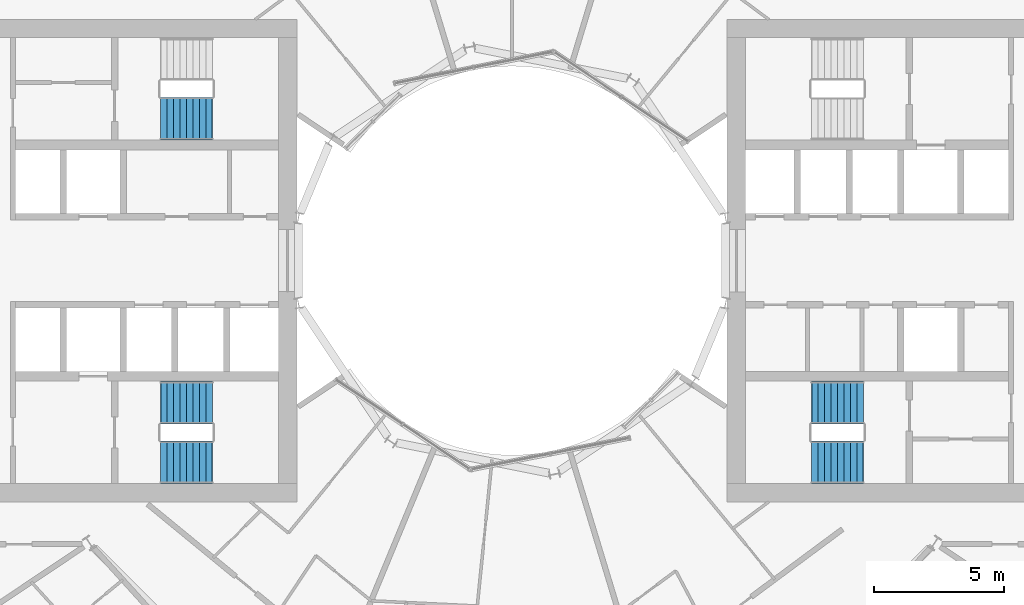
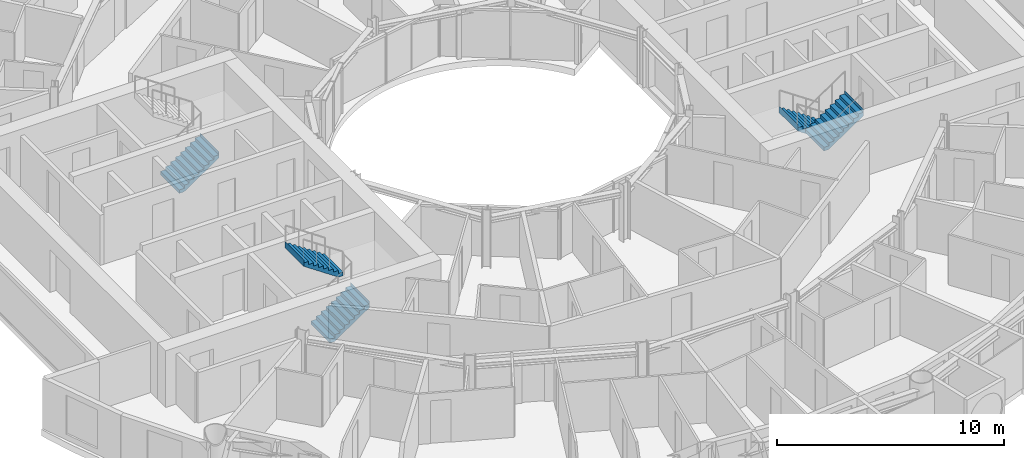
# One storey, part 23 of 26: 5 stair flights, 3 elements without a shape of their own.
"""IFC4 building model written with IfcOpenShell, lengths in metres."""

from ifc_helpers import new_model, si_unit, direction, frame, origin, place, context, subcontext, project, spatial, triangles, material, type_object, element, aggregate, save


model = new_model("IFC4")

# Units and contexts
model_context = context("Model", 3, precision=1e-05, world=origin(), true_north=direction((0.0, 1.0)))
body_context = subcontext(model_context, "Body", "Model", "MODEL_VIEW")
ifc_project = project(units=[si_unit("LENGTHUNIT", "METRE"), si_unit("AREAUNIT", "SQUARE_METRE"), si_unit("VOLUMEUNIT", "CUBIC_METRE"), si_unit("PLANEANGLEUNIT", "RADIAN"), si_unit("MASSUNIT", "GRAM", prefix="KILO")], contexts=[model_context])

# Site, building, storey
site_placement = place(None, origin())
site = spatial("IfcSite", under=ifc_project, at=site_placement, CompositionType="ELEMENT")
building_placement = place(site_placement, origin())
building = spatial("IfcBuilding", under=site, at=building_placement, Name="Maasbend Ring Residences", CompositionType="ELEMENT")
storey_placement = place(building_placement, frame((0.0, 0.0, 75.800048828125)))
storey = spatial("IfcBuildingStorey", under=building, at=storey_placement, Name="L21", CompositionType="ELEMENT", Elevation=75.800048828125)

# Stair, stair flights
ifc_material_1 = material(Name="Concrete C40/50", Category="concrete")
stair_type = type_object("IfcStairType", Name="CORE STAIR 18 RISERS", PredefinedType="HALF_TURN_STAIR", material=ifc_material_1)
stair_1_placement = place(storey_placement, origin())
stair_1 = element("IfcStair", 1, at=stair_1_placement, inside=storey, type_object=stair_type, Name="L21 Exit stair ST-E2", PredefinedType="HALF_TURN_STAIR")
ifc_material_2 = material(Name="Concrete C40/50", Category="concrete")
stair_flight_type = type_object("IfcStairFlightType", Name="CORE STAIR FLIGHT 1650", PredefinedType="STRAIGHT", material=ifc_material_2)
stair_flight_1_placement = place(storey_placement, frame((13.550048828125, -5.47509765625, 0.0), z_axis=(0.0, 0.0, 1.0), x_axis=(-1.0, 0.0, 0.0)))
stair_flight_1 = element("IfcStairFlight", 2, at=stair_flight_1_placement, type_object=stair_flight_type, Name="ST-E2 flight 1", NumberOfRisers=9, NumberOfTreads=8, PredefinedType="STRAIGHT", RiserHeight=0.169444444, TreadLength=0.25, context=body_context, shape_type="Tessellation", body=[
    triangles([(0.24072265625, 0.824951171875, -0.02001953125), (2.0029296875, 0.824951171875, 1.174560546875), (2.0029296875, 0.824951171875, 1.52490234375), (1.989990234375, 0.824951171875, 1.35546875), (1.75, 0.824951171875, 1.35546875), (1.75, 0.824951171875, 1.18603515625), (1.5, 0.824951171875, 1.18603515625), (1.5, 0.824951171875, 1.0166015625), (1.25, 0.824951171875, 1.0166015625), (1.25, 0.824951171875, 0.84716796875), (1.0, 0.824951171875, 0.84716796875), (1.0, 0.824951171875, 0.677734375), (0.75, 0.824951171875, 0.677734375), (0.75, 0.824951171875, 0.50830078125), (0.5, 0.824951171875, 0.50830078125), (0.5, 0.824951171875, 0.3388671875), (0.25, 0.824951171875, 0.3388671875), (0.25, 0.824951171875, 0.16943359375), (0.0, 0.824951171875, 0.16943359375), (0.0, 0.824951171875, 0.0), (-0.0029296875, 0.824951171875, 0.0), (-0.0029296875, 0.824951171875, -0.02001953125), (0.24072265625, 0.27490234375, -0.02001953125), (2.0029296875, 0.27490234375, 1.174560546875), (2.0029296875, 0.27490234375, 1.52490234375), (1.989990234375, 0.27490234375, 1.35546875), (1.75, 0.27490234375, 1.35546875), (1.75, 0.27490234375, 1.18603515625), (1.5, 0.27490234375, 1.18603515625), (1.5, 0.27490234375, 1.0166015625), (1.25, 0.27490234375, 1.0166015625), (1.25, 0.27490234375, 0.84716796875), (1.0, 0.27490234375, 0.84716796875), (1.0, 0.27490234375, 0.677734375), (0.75, 0.27490234375, 0.677734375), (0.75, 0.27490234375, 0.50830078125), (0.5, 0.27490234375, 0.50830078125), (0.5, 0.27490234375, 0.3388671875), (0.25, 0.27490234375, 0.3388671875), (0.25, 0.27490234375, 0.16943359375), (0.0, 0.27490234375, 0.16943359375), (0.0, 0.27490234375, 0.0), (-0.0029296875, 0.27490234375, 0.0), (-0.0029296875, 0.27490234375, -0.02001953125), (0.24072265625, -0.27490234375, -0.02001953125), (2.0029296875, -0.27490234375, 1.174560546875), (2.0029296875, -0.27490234375, 1.52490234375), (1.989990234375, -0.27490234375, 1.35546875), (1.75, -0.27490234375, 1.35546875), (1.75, -0.27490234375, 1.18603515625), (1.5, -0.27490234375, 1.18603515625), (1.5, -0.27490234375, 1.0166015625), (1.25, -0.27490234375, 1.0166015625), (1.25, -0.27490234375, 0.84716796875), (1.0, -0.27490234375, 0.84716796875), (1.0, -0.27490234375, 0.677734375), (0.75, -0.27490234375, 0.677734375), (0.75, -0.27490234375, 0.50830078125), (0.5, -0.27490234375, 0.50830078125), (0.5, -0.27490234375, 0.3388671875), (0.25, -0.27490234375, 0.3388671875), (0.25, -0.27490234375, 0.16943359375), (0.0, -0.27490234375, 0.16943359375), (0.0, -0.27490234375, 0.0), (-0.0029296875, -0.27490234375, 0.0), (-0.0029296875, -0.27490234375, -0.02001953125), (0.24072265625, -0.824951171875, -0.02001953125), (2.0029296875, -0.824951171875, 1.174560546875), (2.0029296875, -0.824951171875, 1.52490234375), (1.989990234375, -0.824951171875, 1.35546875), (1.75, -0.824951171875, 1.35546875), (1.75, -0.824951171875, 1.18603515625), (1.5, -0.824951171875, 1.18603515625), (1.5, -0.824951171875, 1.0166015625), (1.25, -0.824951171875, 1.0166015625), (1.25, -0.824951171875, 0.84716796875), (1.0, -0.824951171875, 0.84716796875), (1.0, -0.824951171875, 0.677734375), (0.75, -0.824951171875, 0.677734375), (0.75, -0.824951171875, 0.50830078125), (0.5, -0.824951171875, 0.50830078125), (0.5, -0.824951171875, 0.3388671875), (0.25, -0.824951171875, 0.3388671875), (0.25, -0.824951171875, 0.16943359375), (0.0, -0.824951171875, 0.16943359375), (0.0, -0.824951171875, 0.0), (-0.0029296875, -0.824951171875, 0.0), (-0.0029296875, -0.824951171875, -0.02001953125)], [[1, 2, 24], [1, 24, 23], [23, 24, 46], [23, 46, 45], [45, 46, 68], [45, 68, 67], [2, 3, 25], [2, 25, 24], [24, 25, 47], [24, 47, 46], [46, 47, 69], [46, 69, 68], [3, 4, 26], [3, 26, 25], [25, 26, 48], [25, 48, 47], [47, 48, 70], [47, 70, 69], [4, 5, 27], [4, 27, 26], [26, 27, 49], [26, 49, 48], [48, 49, 71], [48, 71, 70], [5, 6, 28], [5, 28, 27], [27, 28, 50], [27, 50, 49], [49, 50, 72], [49, 72, 71], [6, 7, 29], [6, 29, 28], [28, 29, 51], [28, 51, 50], [50, 51, 73], [50, 73, 72], [7, 8, 30], [7, 30, 29], [29, 30, 52], [29, 52, 51], [51, 52, 74], [51, 74, 73], [8, 9, 31], [8, 31, 30], [30, 31, 53], [30, 53, 52], [52, 53, 75], [52, 75, 74], [9, 10, 32], [9, 32, 31], [31, 32, 54], [31, 54, 53], [53, 54, 76], [53, 76, 75], [10, 11, 33], [10, 33, 32], [32, 33, 55], [32, 55, 54], [54, 55, 77], [54, 77, 76], [11, 12, 34], [11, 34, 33], [33, 34, 56], [33, 56, 55], [55, 56, 78], [55, 78, 77], [12, 13, 35], [12, 35, 34], [34, 35, 57], [34, 57, 56], [56, 57, 79], [56, 79, 78], [13, 14, 36], [13, 36, 35], [35, 36, 58], [35, 58, 57], [57, 58, 80], [57, 80, 79], [14, 15, 37], [14, 37, 36], [36, 37, 59], [36, 59, 58], [58, 59, 81], [58, 81, 80], [15, 16, 38], [15, 38, 37], [37, 38, 60], [37, 60, 59], [59, 60, 82], [59, 82, 81], [16, 17, 39], [16, 39, 38], [38, 39, 61], [38, 61, 60], [60, 61, 83], [60, 83, 82], [17, 18, 40], [17, 40, 39], [39, 40, 62], [39, 62, 61], [61, 62, 84], [61, 84, 83], [18, 19, 41], [18, 41, 40], [40, 41, 63], [40, 63, 62], [62, 63, 85], [62, 85, 84], [19, 20, 42], [19, 42, 41], [41, 42, 64], [41, 64, 63], [63, 64, 86], [63, 86, 85], [20, 21, 43], [20, 43, 42], [42, 43, 65], [42, 65, 64], [64, 65, 87], [64, 87, 86], [21, 22, 44], [21, 44, 43], [43, 44, 66], [43, 66, 65], [65, 66, 88], [65, 88, 87], [22, 1, 23], [22, 23, 44], [44, 23, 45], [44, 45, 66], [66, 45, 67], [66, 67, 88], [22, 2, 1], [2, 4, 3], [2, 5, 4], [2, 6, 5], [22, 6, 2], [6, 8, 7], [22, 8, 6], [8, 10, 9], [22, 10, 8], [10, 12, 11], [22, 12, 10], [12, 14, 13], [22, 14, 12], [14, 16, 15], [22, 16, 14], [16, 18, 17], [22, 18, 16], [18, 20, 19], [22, 20, 18], [20, 22, 21], [88, 67, 68], [68, 69, 70], [68, 70, 71], [68, 71, 72], [88, 68, 72], [72, 73, 74], [88, 72, 74], [74, 75, 76], [88, 74, 76], [76, 77, 78], [88, 76, 78], [78, 79, 80], [88, 78, 80], [80, 81, 82], [88, 80, 82], [82, 83, 84], [88, 82, 84], [84, 85, 86], [88, 84, 86], [86, 87, 88]], closed=True),
])
stair_flight_2_placement = place(storey_placement, frame((11.550048828125, -7.77490234375, 1.52490234375), z_axis=(0.0, 0.0, 1.0), x_axis=(1.0, 0.0, 0.0)))
stair_flight_2 = element("IfcStairFlight", 3, at=stair_flight_2_placement, type_object=stair_flight_type, Name="ST-E2 flight 2", NumberOfRisers=9, NumberOfTreads=8, PredefinedType="STRAIGHT", RiserHeight=0.169444444, TreadLength=0.25, context=body_context, shape_type="Tessellation", body=[
    triangles([(0.24072265625, 0.824951171875, -0.02001953125), (2.0029296875, 0.824951171875, 1.174560546875), (2.0029296875, 0.824951171875, 1.52490234375), (1.989990234375, 0.824951171875, 1.35546875), (1.75, 0.824951171875, 1.35546875), (1.75, 0.824951171875, 1.18603515625), (1.5, 0.824951171875, 1.18603515625), (1.5, 0.824951171875, 1.0166015625), (1.25, 0.824951171875, 1.0166015625), (1.25, 0.824951171875, 0.84716796875), (1.0, 0.824951171875, 0.84716796875), (1.0, 0.824951171875, 0.677734375), (0.75, 0.824951171875, 0.677734375), (0.75, 0.824951171875, 0.50830078125), (0.5, 0.824951171875, 0.50830078125), (0.5, 0.824951171875, 0.3388671875), (0.25, 0.824951171875, 0.3388671875), (0.25, 0.824951171875, 0.16943359375), (0.0, 0.824951171875, 0.16943359375), (0.0, 0.824951171875, 0.0), (-0.0029296875, 0.824951171875, 0.0), (-0.0029296875, 0.824951171875, -0.02001953125), (0.24072265625, 0.27490234375, -0.02001953125), (2.0029296875, 0.27490234375, 1.174560546875), (2.0029296875, 0.27490234375, 1.52490234375), (1.989990234375, 0.27490234375, 1.35546875), (1.75, 0.27490234375, 1.35546875), (1.75, 0.27490234375, 1.18603515625), (1.5, 0.27490234375, 1.18603515625), (1.5, 0.27490234375, 1.0166015625), (1.25, 0.27490234375, 1.0166015625), (1.25, 0.27490234375, 0.84716796875), (1.0, 0.27490234375, 0.84716796875), (1.0, 0.27490234375, 0.677734375), (0.75, 0.27490234375, 0.677734375), (0.75, 0.27490234375, 0.50830078125), (0.5, 0.27490234375, 0.50830078125), (0.5, 0.27490234375, 0.3388671875), (0.25, 0.27490234375, 0.3388671875), (0.25, 0.27490234375, 0.16943359375), (0.0, 0.27490234375, 0.16943359375), (0.0, 0.27490234375, 0.0), (-0.0029296875, 0.27490234375, 0.0), (-0.0029296875, 0.27490234375, -0.02001953125), (0.24072265625, -0.27490234375, -0.02001953125), (2.0029296875, -0.27490234375, 1.174560546875), (2.0029296875, -0.27490234375, 1.52490234375), (1.989990234375, -0.27490234375, 1.35546875), (1.75, -0.27490234375, 1.35546875), (1.75, -0.27490234375, 1.18603515625), (1.5, -0.27490234375, 1.18603515625), (1.5, -0.27490234375, 1.0166015625), (1.25, -0.27490234375, 1.0166015625), (1.25, -0.27490234375, 0.84716796875), (1.0, -0.27490234375, 0.84716796875), (1.0, -0.27490234375, 0.677734375), (0.75, -0.27490234375, 0.677734375), (0.75, -0.27490234375, 0.50830078125), (0.5, -0.27490234375, 0.50830078125), (0.5, -0.27490234375, 0.3388671875), (0.25, -0.27490234375, 0.3388671875), (0.25, -0.27490234375, 0.16943359375), (0.0, -0.27490234375, 0.16943359375), (0.0, -0.27490234375, 0.0), (-0.0029296875, -0.27490234375, 0.0), (-0.0029296875, -0.27490234375, -0.02001953125), (0.24072265625, -0.824951171875, -0.02001953125), (2.0029296875, -0.824951171875, 1.174560546875), (2.0029296875, -0.824951171875, 1.52490234375), (1.989990234375, -0.824951171875, 1.35546875), (1.75, -0.824951171875, 1.35546875), (1.75, -0.824951171875, 1.18603515625), (1.5, -0.824951171875, 1.18603515625), (1.5, -0.824951171875, 1.0166015625), (1.25, -0.824951171875, 1.0166015625), (1.25, -0.824951171875, 0.84716796875), (1.0, -0.824951171875, 0.84716796875), (1.0, -0.824951171875, 0.677734375), (0.75, -0.824951171875, 0.677734375), (0.75, -0.824951171875, 0.50830078125), (0.5, -0.824951171875, 0.50830078125), (0.5, -0.824951171875, 0.3388671875), (0.25, -0.824951171875, 0.3388671875), (0.25, -0.824951171875, 0.16943359375), (0.0, -0.824951171875, 0.16943359375), (0.0, -0.824951171875, 0.0), (-0.0029296875, -0.824951171875, 0.0), (-0.0029296875, -0.824951171875, -0.02001953125)], [[1, 2, 24], [1, 24, 23], [23, 24, 46], [23, 46, 45], [45, 46, 68], [45, 68, 67], [2, 3, 25], [2, 25, 24], [24, 25, 47], [24, 47, 46], [46, 47, 69], [46, 69, 68], [3, 4, 26], [3, 26, 25], [25, 26, 48], [25, 48, 47], [47, 48, 70], [47, 70, 69], [4, 5, 27], [4, 27, 26], [26, 27, 49], [26, 49, 48], [48, 49, 71], [48, 71, 70], [5, 6, 28], [5, 28, 27], [27, 28, 50], [27, 50, 49], [49, 50, 72], [49, 72, 71], [6, 7, 29], [6, 29, 28], [28, 29, 51], [28, 51, 50], [50, 51, 73], [50, 73, 72], [7, 8, 30], [7, 30, 29], [29, 30, 52], [29, 52, 51], [51, 52, 74], [51, 74, 73], [8, 9, 31], [8, 31, 30], [30, 31, 53], [30, 53, 52], [52, 53, 75], [52, 75, 74], [9, 10, 32], [9, 32, 31], [31, 32, 54], [31, 54, 53], [53, 54, 76], [53, 76, 75], [10, 11, 33], [10, 33, 32], [32, 33, 55], [32, 55, 54], [54, 55, 77], [54, 77, 76], [11, 12, 34], [11, 34, 33], [33, 34, 56], [33, 56, 55], [55, 56, 78], [55, 78, 77], [12, 13, 35], [12, 35, 34], [34, 35, 57], [34, 57, 56], [56, 57, 79], [56, 79, 78], [13, 14, 36], [13, 36, 35], [35, 36, 58], [35, 58, 57], [57, 58, 80], [57, 80, 79], [14, 15, 37], [14, 37, 36], [36, 37, 59], [36, 59, 58], [58, 59, 81], [58, 81, 80], [15, 16, 38], [15, 38, 37], [37, 38, 60], [37, 60, 59], [59, 60, 82], [59, 82, 81], [16, 17, 39], [16, 39, 38], [38, 39, 61], [38, 61, 60], [60, 61, 83], [60, 83, 82], [17, 18, 40], [17, 40, 39], [39, 40, 62], [39, 62, 61], [61, 62, 84], [61, 84, 83], [18, 19, 41], [18, 41, 40], [40, 41, 63], [40, 63, 62], [62, 63, 85], [62, 85, 84], [19, 20, 42], [19, 42, 41], [41, 42, 64], [41, 64, 63], [63, 64, 86], [63, 86, 85], [20, 21, 43], [20, 43, 42], [42, 43, 65], [42, 65, 64], [64, 65, 87], [64, 87, 86], [21, 22, 44], [21, 44, 43], [43, 44, 66], [43, 66, 65], [65, 66, 88], [65, 88, 87], [22, 1, 23], [22, 23, 44], [44, 23, 45], [44, 45, 66], [66, 45, 67], [66, 67, 88], [22, 2, 1], [2, 4, 3], [2, 5, 4], [2, 6, 5], [22, 6, 2], [6, 8, 7], [22, 8, 6], [8, 10, 9], [22, 10, 8], [10, 12, 11], [22, 12, 10], [12, 14, 13], [22, 14, 12], [14, 16, 15], [22, 16, 14], [16, 18, 17], [22, 18, 16], [18, 20, 19], [22, 20, 18], [20, 22, 21], [88, 67, 68], [68, 69, 70], [68, 70, 71], [68, 71, 72], [88, 68, 72], [72, 73, 74], [88, 72, 74], [74, 75, 76], [88, 74, 76], [76, 77, 78], [88, 76, 78], [78, 79, 80], [88, 78, 80], [80, 81, 82], [88, 80, 82], [82, 83, 84], [88, 82, 84], [84, 85, 86], [88, 84, 86], [86, 87, 88]], closed=True),
])
aggregate(stair_1, [stair_flight_1, stair_flight_2])

stair_2_placement = place(storey_placement, origin())
stair_2 = element("IfcStair", 4, at=stair_2_placement, inside=storey, type_object=stair_type, Name="L21 Exit stair ST-W1", PredefinedType="HALF_TURN_STAIR")
stair_flight_3_placement = place(storey_placement, frame((-13.550048828125, -7.77490234375, 0.0), z_axis=(0.0, 0.0, 1.0), x_axis=(1.0, 0.0, 0.0)))
stair_flight_3 = element("IfcStairFlight", 5, at=stair_flight_3_placement, type_object=stair_flight_type, Name="ST-W1 flight 1", NumberOfRisers=9, NumberOfTreads=8, PredefinedType="STRAIGHT", RiserHeight=0.169444444, TreadLength=0.25, context=body_context, shape_type="Tessellation", body=[
    triangles([(0.24072265625, 0.824951171875, -0.02001953125), (2.0029296875, 0.824951171875, 1.174560546875), (2.0029296875, 0.824951171875, 1.52490234375), (1.989990234375, 0.824951171875, 1.35546875), (1.75, 0.824951171875, 1.35546875), (1.75, 0.824951171875, 1.18603515625), (1.5, 0.824951171875, 1.18603515625), (1.5, 0.824951171875, 1.0166015625), (1.25, 0.824951171875, 1.0166015625), (1.25, 0.824951171875, 0.84716796875), (1.0, 0.824951171875, 0.84716796875), (1.0, 0.824951171875, 0.677734375), (0.75, 0.824951171875, 0.677734375), (0.75, 0.824951171875, 0.50830078125), (0.5, 0.824951171875, 0.50830078125), (0.5, 0.824951171875, 0.3388671875), (0.25, 0.824951171875, 0.3388671875), (0.25, 0.824951171875, 0.16943359375), (0.0, 0.824951171875, 0.16943359375), (0.0, 0.824951171875, 0.0), (-0.0029296875, 0.824951171875, 0.0), (-0.0029296875, 0.824951171875, -0.02001953125), (0.24072265625, 0.27490234375, -0.02001953125), (2.0029296875, 0.27490234375, 1.174560546875), (2.0029296875, 0.27490234375, 1.52490234375), (1.989990234375, 0.27490234375, 1.35546875), (1.75, 0.27490234375, 1.35546875), (1.75, 0.27490234375, 1.18603515625), (1.5, 0.27490234375, 1.18603515625), (1.5, 0.27490234375, 1.0166015625), (1.25, 0.27490234375, 1.0166015625), (1.25, 0.27490234375, 0.84716796875), (1.0, 0.27490234375, 0.84716796875), (1.0, 0.27490234375, 0.677734375), (0.75, 0.27490234375, 0.677734375), (0.75, 0.27490234375, 0.50830078125), (0.5, 0.27490234375, 0.50830078125), (0.5, 0.27490234375, 0.3388671875), (0.25, 0.27490234375, 0.3388671875), (0.25, 0.27490234375, 0.16943359375), (0.0, 0.27490234375, 0.16943359375), (0.0, 0.27490234375, 0.0), (-0.0029296875, 0.27490234375, 0.0), (-0.0029296875, 0.27490234375, -0.02001953125), (0.24072265625, -0.27490234375, -0.02001953125), (2.0029296875, -0.27490234375, 1.174560546875), (2.0029296875, -0.27490234375, 1.52490234375), (1.989990234375, -0.27490234375, 1.35546875), (1.75, -0.27490234375, 1.35546875), (1.75, -0.27490234375, 1.18603515625), (1.5, -0.27490234375, 1.18603515625), (1.5, -0.27490234375, 1.0166015625), (1.25, -0.27490234375, 1.0166015625), (1.25, -0.27490234375, 0.84716796875), (1.0, -0.27490234375, 0.84716796875), (1.0, -0.27490234375, 0.677734375), (0.75, -0.27490234375, 0.677734375), (0.75, -0.27490234375, 0.50830078125), (0.5, -0.27490234375, 0.50830078125), (0.5, -0.27490234375, 0.3388671875), (0.25, -0.27490234375, 0.3388671875), (0.25, -0.27490234375, 0.16943359375), (0.0, -0.27490234375, 0.16943359375), (0.0, -0.27490234375, 0.0), (-0.0029296875, -0.27490234375, 0.0), (-0.0029296875, -0.27490234375, -0.02001953125), (0.24072265625, -0.824951171875, -0.02001953125), (2.0029296875, -0.824951171875, 1.174560546875), (2.0029296875, -0.824951171875, 1.52490234375), (1.989990234375, -0.824951171875, 1.35546875), (1.75, -0.824951171875, 1.35546875), (1.75, -0.824951171875, 1.18603515625), (1.5, -0.824951171875, 1.18603515625), (1.5, -0.824951171875, 1.0166015625), (1.25, -0.824951171875, 1.0166015625), (1.25, -0.824951171875, 0.84716796875), (1.0, -0.824951171875, 0.84716796875), (1.0, -0.824951171875, 0.677734375), (0.75, -0.824951171875, 0.677734375), (0.75, -0.824951171875, 0.50830078125), (0.5, -0.824951171875, 0.50830078125), (0.5, -0.824951171875, 0.3388671875), (0.25, -0.824951171875, 0.3388671875), (0.25, -0.824951171875, 0.16943359375), (0.0, -0.824951171875, 0.16943359375), (0.0, -0.824951171875, 0.0), (-0.0029296875, -0.824951171875, 0.0), (-0.0029296875, -0.824951171875, -0.02001953125)], [[1, 2, 24], [1, 24, 23], [23, 24, 46], [23, 46, 45], [45, 46, 68], [45, 68, 67], [2, 3, 25], [2, 25, 24], [24, 25, 47], [24, 47, 46], [46, 47, 69], [46, 69, 68], [3, 4, 26], [3, 26, 25], [25, 26, 48], [25, 48, 47], [47, 48, 70], [47, 70, 69], [4, 5, 27], [4, 27, 26], [26, 27, 49], [26, 49, 48], [48, 49, 71], [48, 71, 70], [5, 6, 28], [5, 28, 27], [27, 28, 50], [27, 50, 49], [49, 50, 72], [49, 72, 71], [6, 7, 29], [6, 29, 28], [28, 29, 51], [28, 51, 50], [50, 51, 73], [50, 73, 72], [7, 8, 30], [7, 30, 29], [29, 30, 52], [29, 52, 51], [51, 52, 74], [51, 74, 73], [8, 9, 31], [8, 31, 30], [30, 31, 53], [30, 53, 52], [52, 53, 75], [52, 75, 74], [9, 10, 32], [9, 32, 31], [31, 32, 54], [31, 54, 53], [53, 54, 76], [53, 76, 75], [10, 11, 33], [10, 33, 32], [32, 33, 55], [32, 55, 54], [54, 55, 77], [54, 77, 76], [11, 12, 34], [11, 34, 33], [33, 34, 56], [33, 56, 55], [55, 56, 78], [55, 78, 77], [12, 13, 35], [12, 35, 34], [34, 35, 57], [34, 57, 56], [56, 57, 79], [56, 79, 78], [13, 14, 36], [13, 36, 35], [35, 36, 58], [35, 58, 57], [57, 58, 80], [57, 80, 79], [14, 15, 37], [14, 37, 36], [36, 37, 59], [36, 59, 58], [58, 59, 81], [58, 81, 80], [15, 16, 38], [15, 38, 37], [37, 38, 60], [37, 60, 59], [59, 60, 82], [59, 82, 81], [16, 17, 39], [16, 39, 38], [38, 39, 61], [38, 61, 60], [60, 61, 83], [60, 83, 82], [17, 18, 40], [17, 40, 39], [39, 40, 62], [39, 62, 61], [61, 62, 84], [61, 84, 83], [18, 19, 41], [18, 41, 40], [40, 41, 63], [40, 63, 62], [62, 63, 85], [62, 85, 84], [19, 20, 42], [19, 42, 41], [41, 42, 64], [41, 64, 63], [63, 64, 86], [63, 86, 85], [20, 21, 43], [20, 43, 42], [42, 43, 65], [42, 65, 64], [64, 65, 87], [64, 87, 86], [21, 22, 44], [21, 44, 43], [43, 44, 66], [43, 66, 65], [65, 66, 88], [65, 88, 87], [22, 1, 23], [22, 23, 44], [44, 23, 45], [44, 45, 66], [66, 45, 67], [66, 67, 88], [22, 2, 1], [2, 4, 3], [2, 5, 4], [2, 6, 5], [22, 6, 2], [6, 8, 7], [22, 8, 6], [8, 10, 9], [22, 10, 8], [10, 12, 11], [22, 12, 10], [12, 14, 13], [22, 14, 12], [14, 16, 15], [22, 16, 14], [16, 18, 17], [22, 18, 16], [18, 20, 19], [22, 20, 18], [20, 22, 21], [88, 67, 68], [68, 69, 70], [68, 70, 71], [68, 71, 72], [88, 68, 72], [72, 73, 74], [88, 72, 74], [74, 75, 76], [88, 74, 76], [76, 77, 78], [88, 76, 78], [78, 79, 80], [88, 78, 80], [80, 81, 82], [88, 80, 82], [82, 83, 84], [88, 82, 84], [84, 85, 86], [88, 84, 86], [86, 87, 88]], closed=True),
])
stair_flight_4_placement = place(storey_placement, frame((-11.550048828125, -5.47509765625, 1.52490234375), z_axis=(0.0, 0.0, 1.0), x_axis=(-1.0, 0.0, 0.0)))
stair_flight_4 = element("IfcStairFlight", 6, at=stair_flight_4_placement, type_object=stair_flight_type, Name="ST-W1 flight 2", NumberOfRisers=9, NumberOfTreads=8, PredefinedType="STRAIGHT", RiserHeight=0.169444444, TreadLength=0.25, context=body_context, shape_type="Tessellation", body=[
    triangles([(0.24072265625, 0.824951171875, -0.02001953125), (2.0029296875, 0.824951171875, 1.174560546875), (2.0029296875, 0.824951171875, 1.52490234375), (1.989990234375, 0.824951171875, 1.35546875), (1.75, 0.824951171875, 1.35546875), (1.75, 0.824951171875, 1.18603515625), (1.5, 0.824951171875, 1.18603515625), (1.5, 0.824951171875, 1.0166015625), (1.25, 0.824951171875, 1.0166015625), (1.25, 0.824951171875, 0.84716796875), (1.0, 0.824951171875, 0.84716796875), (1.0, 0.824951171875, 0.677734375), (0.75, 0.824951171875, 0.677734375), (0.75, 0.824951171875, 0.50830078125), (0.5, 0.824951171875, 0.50830078125), (0.5, 0.824951171875, 0.3388671875), (0.25, 0.824951171875, 0.3388671875), (0.25, 0.824951171875, 0.16943359375), (0.0, 0.824951171875, 0.16943359375), (0.0, 0.824951171875, 0.0), (-0.0029296875, 0.824951171875, 0.0), (-0.0029296875, 0.824951171875, -0.02001953125), (0.24072265625, 0.27490234375, -0.02001953125), (2.0029296875, 0.27490234375, 1.174560546875), (2.0029296875, 0.27490234375, 1.52490234375), (1.989990234375, 0.27490234375, 1.35546875), (1.75, 0.27490234375, 1.35546875), (1.75, 0.27490234375, 1.18603515625), (1.5, 0.27490234375, 1.18603515625), (1.5, 0.27490234375, 1.0166015625), (1.25, 0.27490234375, 1.0166015625), (1.25, 0.27490234375, 0.84716796875), (1.0, 0.27490234375, 0.84716796875), (1.0, 0.27490234375, 0.677734375), (0.75, 0.27490234375, 0.677734375), (0.75, 0.27490234375, 0.50830078125), (0.5, 0.27490234375, 0.50830078125), (0.5, 0.27490234375, 0.3388671875), (0.25, 0.27490234375, 0.3388671875), (0.25, 0.27490234375, 0.16943359375), (0.0, 0.27490234375, 0.16943359375), (0.0, 0.27490234375, 0.0), (-0.0029296875, 0.27490234375, 0.0), (-0.0029296875, 0.27490234375, -0.02001953125), (0.24072265625, -0.27490234375, -0.02001953125), (2.0029296875, -0.27490234375, 1.174560546875), (2.0029296875, -0.27490234375, 1.52490234375), (1.989990234375, -0.27490234375, 1.35546875), (1.75, -0.27490234375, 1.35546875), (1.75, -0.27490234375, 1.18603515625), (1.5, -0.27490234375, 1.18603515625), (1.5, -0.27490234375, 1.0166015625), (1.25, -0.27490234375, 1.0166015625), (1.25, -0.27490234375, 0.84716796875), (1.0, -0.27490234375, 0.84716796875), (1.0, -0.27490234375, 0.677734375), (0.75, -0.27490234375, 0.677734375), (0.75, -0.27490234375, 0.50830078125), (0.5, -0.27490234375, 0.50830078125), (0.5, -0.27490234375, 0.3388671875), (0.25, -0.27490234375, 0.3388671875), (0.25, -0.27490234375, 0.16943359375), (0.0, -0.27490234375, 0.16943359375), (0.0, -0.27490234375, 0.0), (-0.0029296875, -0.27490234375, 0.0), (-0.0029296875, -0.27490234375, -0.02001953125), (0.24072265625, -0.824951171875, -0.02001953125), (2.0029296875, -0.824951171875, 1.174560546875), (2.0029296875, -0.824951171875, 1.52490234375), (1.989990234375, -0.824951171875, 1.35546875), (1.75, -0.824951171875, 1.35546875), (1.75, -0.824951171875, 1.18603515625), (1.5, -0.824951171875, 1.18603515625), (1.5, -0.824951171875, 1.0166015625), (1.25, -0.824951171875, 1.0166015625), (1.25, -0.824951171875, 0.84716796875), (1.0, -0.824951171875, 0.84716796875), (1.0, -0.824951171875, 0.677734375), (0.75, -0.824951171875, 0.677734375), (0.75, -0.824951171875, 0.50830078125), (0.5, -0.824951171875, 0.50830078125), (0.5, -0.824951171875, 0.3388671875), (0.25, -0.824951171875, 0.3388671875), (0.25, -0.824951171875, 0.16943359375), (0.0, -0.824951171875, 0.16943359375), (0.0, -0.824951171875, 0.0), (-0.0029296875, -0.824951171875, 0.0), (-0.0029296875, -0.824951171875, -0.02001953125)], [[1, 2, 24], [1, 24, 23], [23, 24, 46], [23, 46, 45], [45, 46, 68], [45, 68, 67], [2, 3, 25], [2, 25, 24], [24, 25, 47], [24, 47, 46], [46, 47, 69], [46, 69, 68], [3, 4, 26], [3, 26, 25], [25, 26, 48], [25, 48, 47], [47, 48, 70], [47, 70, 69], [4, 5, 27], [4, 27, 26], [26, 27, 49], [26, 49, 48], [48, 49, 71], [48, 71, 70], [5, 6, 28], [5, 28, 27], [27, 28, 50], [27, 50, 49], [49, 50, 72], [49, 72, 71], [6, 7, 29], [6, 29, 28], [28, 29, 51], [28, 51, 50], [50, 51, 73], [50, 73, 72], [7, 8, 30], [7, 30, 29], [29, 30, 52], [29, 52, 51], [51, 52, 74], [51, 74, 73], [8, 9, 31], [8, 31, 30], [30, 31, 53], [30, 53, 52], [52, 53, 75], [52, 75, 74], [9, 10, 32], [9, 32, 31], [31, 32, 54], [31, 54, 53], [53, 54, 76], [53, 76, 75], [10, 11, 33], [10, 33, 32], [32, 33, 55], [32, 55, 54], [54, 55, 77], [54, 77, 76], [11, 12, 34], [11, 34, 33], [33, 34, 56], [33, 56, 55], [55, 56, 78], [55, 78, 77], [12, 13, 35], [12, 35, 34], [34, 35, 57], [34, 57, 56], [56, 57, 79], [56, 79, 78], [13, 14, 36], [13, 36, 35], [35, 36, 58], [35, 58, 57], [57, 58, 80], [57, 80, 79], [14, 15, 37], [14, 37, 36], [36, 37, 59], [36, 59, 58], [58, 59, 81], [58, 81, 80], [15, 16, 38], [15, 38, 37], [37, 38, 60], [37, 60, 59], [59, 60, 82], [59, 82, 81], [16, 17, 39], [16, 39, 38], [38, 39, 61], [38, 61, 60], [60, 61, 83], [60, 83, 82], [17, 18, 40], [17, 40, 39], [39, 40, 62], [39, 62, 61], [61, 62, 84], [61, 84, 83], [18, 19, 41], [18, 41, 40], [40, 41, 63], [40, 63, 62], [62, 63, 85], [62, 85, 84], [19, 20, 42], [19, 42, 41], [41, 42, 64], [41, 64, 63], [63, 64, 86], [63, 86, 85], [20, 21, 43], [20, 43, 42], [42, 43, 65], [42, 65, 64], [64, 65, 87], [64, 87, 86], [21, 22, 44], [21, 44, 43], [43, 44, 66], [43, 66, 65], [65, 66, 88], [65, 88, 87], [22, 1, 23], [22, 23, 44], [44, 23, 45], [44, 45, 66], [66, 45, 67], [66, 67, 88], [22, 2, 1], [2, 4, 3], [2, 5, 4], [2, 6, 5], [22, 6, 2], [6, 8, 7], [22, 8, 6], [8, 10, 9], [22, 10, 8], [10, 12, 11], [22, 12, 10], [12, 14, 13], [22, 14, 12], [14, 16, 15], [22, 16, 14], [16, 18, 17], [22, 18, 16], [18, 20, 19], [22, 20, 18], [20, 22, 21], [88, 67, 68], [68, 69, 70], [68, 70, 71], [68, 71, 72], [88, 68, 72], [72, 73, 74], [88, 72, 74], [74, 75, 76], [88, 74, 76], [76, 77, 78], [88, 76, 78], [78, 79, 80], [88, 78, 80], [80, 81, 82], [88, 80, 82], [82, 83, 84], [88, 82, 84], [84, 85, 86], [88, 84, 86], [86, 87, 88]], closed=True),
])
aggregate(stair_2, [stair_flight_3, stair_flight_4])

# Stair, stair flight
stair_3_placement = place(storey_placement, origin())
stair_3 = element("IfcStair", 7, at=stair_3_placement, inside=storey, type_object=stair_type, Name="L21 Exit stair ST-W2", PredefinedType="HALF_TURN_STAIR")
stair_flight_5_placement = place(storey_placement, frame((-13.550048828125, 5.47509765625, 0.0), z_axis=(0.0, 0.0, 1.0), x_axis=(1.0, 0.0, 0.0)))
stair_flight_5 = element("IfcStairFlight", 8, at=stair_flight_5_placement, type_object=stair_flight_type, Name="ST-W2 flight 1", NumberOfRisers=9, NumberOfTreads=8, PredefinedType="STRAIGHT", RiserHeight=0.169444444, TreadLength=0.25, context=body_context, shape_type="Tessellation", body=[
    triangles([(0.24072265625, 0.824951171875, -0.02001953125), (2.0029296875, 0.824951171875, 1.174560546875), (2.0029296875, 0.824951171875, 1.52490234375), (1.989990234375, 0.824951171875, 1.35546875), (1.75, 0.824951171875, 1.35546875), (1.75, 0.824951171875, 1.18603515625), (1.5, 0.824951171875, 1.18603515625), (1.5, 0.824951171875, 1.0166015625), (1.25, 0.824951171875, 1.0166015625), (1.25, 0.824951171875, 0.84716796875), (1.0, 0.824951171875, 0.84716796875), (1.0, 0.824951171875, 0.677734375), (0.75, 0.824951171875, 0.677734375), (0.75, 0.824951171875, 0.50830078125), (0.5, 0.824951171875, 0.50830078125), (0.5, 0.824951171875, 0.3388671875), (0.25, 0.824951171875, 0.3388671875), (0.25, 0.824951171875, 0.16943359375), (0.0, 0.824951171875, 0.16943359375), (0.0, 0.824951171875, 0.0), (-0.0029296875, 0.824951171875, 0.0), (-0.0029296875, 0.824951171875, -0.02001953125), (0.24072265625, 0.27490234375, -0.02001953125), (2.0029296875, 0.27490234375, 1.174560546875), (2.0029296875, 0.27490234375, 1.52490234375), (1.989990234375, 0.27490234375, 1.35546875), (1.75, 0.27490234375, 1.35546875), (1.75, 0.27490234375, 1.18603515625), (1.5, 0.27490234375, 1.18603515625), (1.5, 0.27490234375, 1.0166015625), (1.25, 0.27490234375, 1.0166015625), (1.25, 0.27490234375, 0.84716796875), (1.0, 0.27490234375, 0.84716796875), (1.0, 0.27490234375, 0.677734375), (0.75, 0.27490234375, 0.677734375), (0.75, 0.27490234375, 0.50830078125), (0.5, 0.27490234375, 0.50830078125), (0.5, 0.27490234375, 0.3388671875), (0.25, 0.27490234375, 0.3388671875), (0.25, 0.27490234375, 0.16943359375), (0.0, 0.27490234375, 0.16943359375), (0.0, 0.27490234375, 0.0), (-0.0029296875, 0.27490234375, 0.0), (-0.0029296875, 0.27490234375, -0.02001953125), (0.24072265625, -0.27490234375, -0.02001953125), (2.0029296875, -0.27490234375, 1.174560546875), (2.0029296875, -0.27490234375, 1.52490234375), (1.989990234375, -0.27490234375, 1.35546875), (1.75, -0.27490234375, 1.35546875), (1.75, -0.27490234375, 1.18603515625), (1.5, -0.27490234375, 1.18603515625), (1.5, -0.27490234375, 1.0166015625), (1.25, -0.27490234375, 1.0166015625), (1.25, -0.27490234375, 0.84716796875), (1.0, -0.27490234375, 0.84716796875), (1.0, -0.27490234375, 0.677734375), (0.75, -0.27490234375, 0.677734375), (0.75, -0.27490234375, 0.50830078125), (0.5, -0.27490234375, 0.50830078125), (0.5, -0.27490234375, 0.3388671875), (0.25, -0.27490234375, 0.3388671875), (0.25, -0.27490234375, 0.16943359375), (0.0, -0.27490234375, 0.16943359375), (0.0, -0.27490234375, 0.0), (-0.0029296875, -0.27490234375, 0.0), (-0.0029296875, -0.27490234375, -0.02001953125), (0.24072265625, -0.824951171875, -0.02001953125), (2.0029296875, -0.824951171875, 1.174560546875), (2.0029296875, -0.824951171875, 1.52490234375), (1.989990234375, -0.824951171875, 1.35546875), (1.75, -0.824951171875, 1.35546875), (1.75, -0.824951171875, 1.18603515625), (1.5, -0.824951171875, 1.18603515625), (1.5, -0.824951171875, 1.0166015625), (1.25, -0.824951171875, 1.0166015625), (1.25, -0.824951171875, 0.84716796875), (1.0, -0.824951171875, 0.84716796875), (1.0, -0.824951171875, 0.677734375), (0.75, -0.824951171875, 0.677734375), (0.75, -0.824951171875, 0.50830078125), (0.5, -0.824951171875, 0.50830078125), (0.5, -0.824951171875, 0.3388671875), (0.25, -0.824951171875, 0.3388671875), (0.25, -0.824951171875, 0.16943359375), (0.0, -0.824951171875, 0.16943359375), (0.0, -0.824951171875, 0.0), (-0.0029296875, -0.824951171875, 0.0), (-0.0029296875, -0.824951171875, -0.02001953125)], [[1, 2, 24], [1, 24, 23], [23, 24, 46], [23, 46, 45], [45, 46, 68], [45, 68, 67], [2, 3, 25], [2, 25, 24], [24, 25, 47], [24, 47, 46], [46, 47, 69], [46, 69, 68], [3, 4, 26], [3, 26, 25], [25, 26, 48], [25, 48, 47], [47, 48, 70], [47, 70, 69], [4, 5, 27], [4, 27, 26], [26, 27, 49], [26, 49, 48], [48, 49, 71], [48, 71, 70], [5, 6, 28], [5, 28, 27], [27, 28, 50], [27, 50, 49], [49, 50, 72], [49, 72, 71], [6, 7, 29], [6, 29, 28], [28, 29, 51], [28, 51, 50], [50, 51, 73], [50, 73, 72], [7, 8, 30], [7, 30, 29], [29, 30, 52], [29, 52, 51], [51, 52, 74], [51, 74, 73], [8, 9, 31], [8, 31, 30], [30, 31, 53], [30, 53, 52], [52, 53, 75], [52, 75, 74], [9, 10, 32], [9, 32, 31], [31, 32, 54], [31, 54, 53], [53, 54, 76], [53, 76, 75], [10, 11, 33], [10, 33, 32], [32, 33, 55], [32, 55, 54], [54, 55, 77], [54, 77, 76], [11, 12, 34], [11, 34, 33], [33, 34, 56], [33, 56, 55], [55, 56, 78], [55, 78, 77], [12, 13, 35], [12, 35, 34], [34, 35, 57], [34, 57, 56], [56, 57, 79], [56, 79, 78], [13, 14, 36], [13, 36, 35], [35, 36, 58], [35, 58, 57], [57, 58, 80], [57, 80, 79], [14, 15, 37], [14, 37, 36], [36, 37, 59], [36, 59, 58], [58, 59, 81], [58, 81, 80], [15, 16, 38], [15, 38, 37], [37, 38, 60], [37, 60, 59], [59, 60, 82], [59, 82, 81], [16, 17, 39], [16, 39, 38], [38, 39, 61], [38, 61, 60], [60, 61, 83], [60, 83, 82], [17, 18, 40], [17, 40, 39], [39, 40, 62], [39, 62, 61], [61, 62, 84], [61, 84, 83], [18, 19, 41], [18, 41, 40], [40, 41, 63], [40, 63, 62], [62, 63, 85], [62, 85, 84], [19, 20, 42], [19, 42, 41], [41, 42, 64], [41, 64, 63], [63, 64, 86], [63, 86, 85], [20, 21, 43], [20, 43, 42], [42, 43, 65], [42, 65, 64], [64, 65, 87], [64, 87, 86], [21, 22, 44], [21, 44, 43], [43, 44, 66], [43, 66, 65], [65, 66, 88], [65, 88, 87], [22, 1, 23], [22, 23, 44], [44, 23, 45], [44, 45, 66], [66, 45, 67], [66, 67, 88], [22, 2, 1], [2, 4, 3], [2, 5, 4], [2, 6, 5], [22, 6, 2], [6, 8, 7], [22, 8, 6], [8, 10, 9], [22, 10, 8], [10, 12, 11], [22, 12, 10], [12, 14, 13], [22, 14, 12], [14, 16, 15], [22, 16, 14], [16, 18, 17], [22, 18, 16], [18, 20, 19], [22, 20, 18], [20, 22, 21], [88, 67, 68], [68, 69, 70], [68, 70, 71], [68, 71, 72], [88, 68, 72], [72, 73, 74], [88, 72, 74], [74, 75, 76], [88, 74, 76], [76, 77, 78], [88, 76, 78], [78, 79, 80], [88, 78, 80], [80, 81, 82], [88, 80, 82], [82, 83, 84], [88, 82, 84], [84, 85, 86], [88, 84, 86], [86, 87, 88]], closed=True),
])
aggregate(stair_3, [stair_flight_5])

save(model, "model.ifc")
